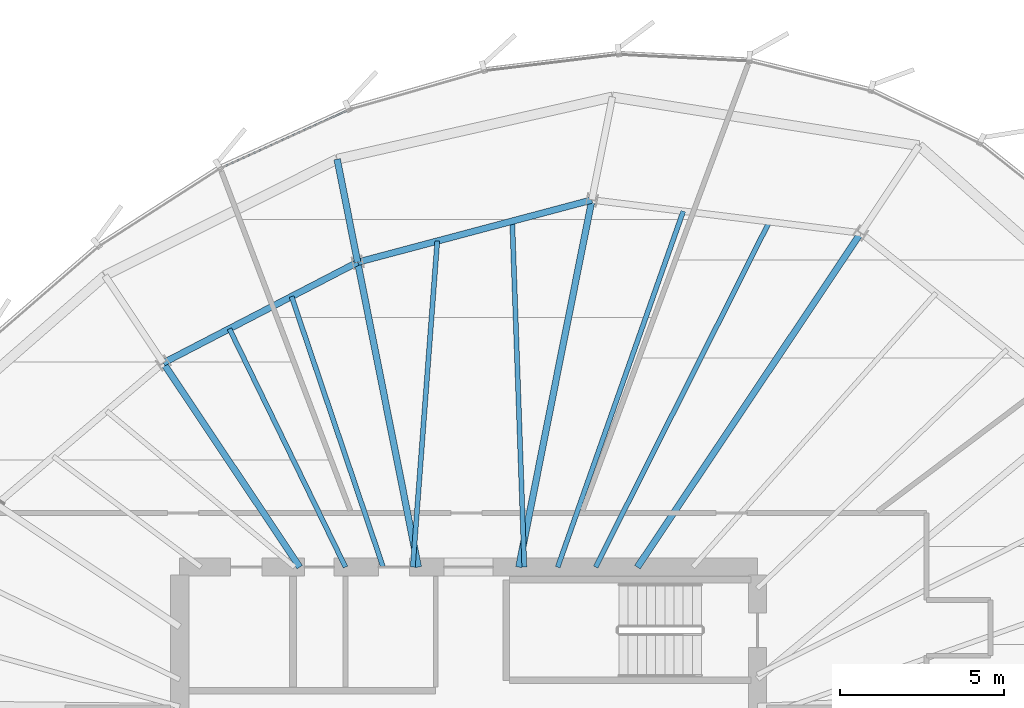
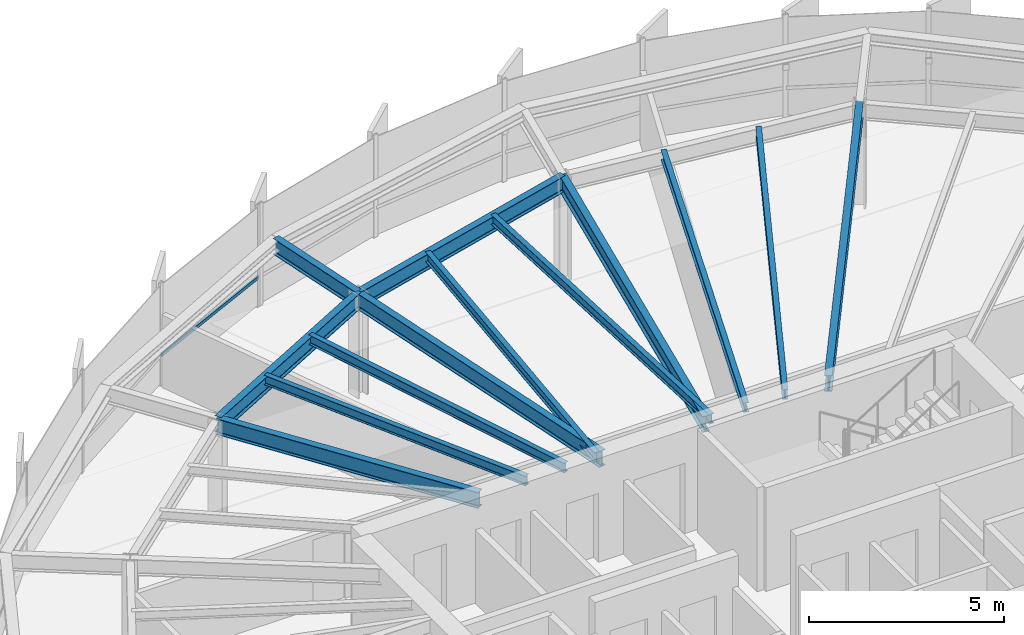
# One storey, part 21 of 34: 13 beams, 1 member, 1 element without a shape of its own.
"""IFC4 building model written with IfcOpenShell, lengths in metres."""

from ifc_helpers import new_model, si_unit, direction, frame, origin, origin_2d, place, context, subcontext, project, spatial, hollow_rectangle, i_section, extrude, source, transform, mapped, material, layer, layer_set, material_profile, profile_set, type_object, element, aggregate, save


model = new_model("IFC4")

# Units and contexts
model_context = context("Model", 3, precision=1e-05, world=origin(), true_north=direction((0.0, 1.0)))
body_context = subcontext(model_context, "Body", "Model", "MODEL_VIEW")
ifc_project = project(units=[si_unit("LENGTHUNIT", "METRE"), si_unit("AREAUNIT", "SQUARE_METRE"), si_unit("VOLUMEUNIT", "CUBIC_METRE"), si_unit("PLANEANGLEUNIT", "RADIAN"), si_unit("MASSUNIT", "GRAM", prefix="KILO"), si_unit("THERMODYNAMICTEMPERATUREUNIT", "KELVIN")], contexts=[model_context])

# Site, building, storey
site_placement = place(None, origin())
site = spatial("IfcSite", under=ifc_project, at=site_placement, CompositionType="ELEMENT")
building_placement = place(site_placement, origin())
building = spatial("IfcBuilding", under=site, at=building_placement, Name="Kethvar Cultural Tower", CompositionType="ELEMENT")
storey_placement = place(building_placement, frame((0.0, 0.0, 214.89990234375)))
storey = spatial("IfcBuildingStorey", under=building, at=storey_placement, Name="L56", CompositionType="ELEMENT", Elevation=214.89990234375)

# Beams
ifc_material_1 = material(Name="Steel S355J2", Category="steel")
ifc_material_profile_1 = material_profile(ifc_material_1, i_section(OverallWidth=0.199951171875, OverallDepth=0.5, WebThickness=0.01025390625, FlangeThickness=0.01611328125, FilletRadius=0.02099609375, at=origin_2d()), Name="Steel S355J2 — IPE500")
ifc_profile_set_1 = profile_set([ifc_material_profile_1], Name="Steel S355J2 — IPE500")
beam_type_1 = type_object("IfcBeamType", Name="BM-IPE500", PredefinedType="BEAM", material=ifc_profile_set_1)
shared_shape_1 = source(origin(), body_context, "Body", "SweptSolid", [
    extrude(i_section(OverallWidth=0.199951171875, OverallDepth=0.5, WebThickness=0.01025390625, FlangeThickness=0.01611328125, FilletRadius=0.02099609375, at=origin_2d()), origin(), (0.0, 0.0, 1.0), 3.199951171875),
])
beam_1_placement = place(storey_placement, frame((43.420654296875, 44.789306640625, 2.988037109375), z_axis=(-0.195088965533, 0.980785550224, 0.0), x_axis=(-0.980785550224, -0.195088965533, 0.0)))
element("IfcBeam", 1, at=beam_1_placement, inside=storey, type_object=beam_type_1, Name="L56 Perimeter Cantilever Beam RC-05", PredefinedType="BEAM", context=body_context, shape_type="MappedRepresentation", body=[
    mapped(shared_shape_1, transform((0.0, 0.0, 0.0), scale=1.0)),
])
shared_shape_2 = source(origin(), body_context, "Body", "SweptSolid", [
    extrude(i_section(OverallWidth=0.199951171875, OverallDepth=0.5, WebThickness=0.01025390625, FlangeThickness=0.01611328125, FilletRadius=0.02099609375, at=origin_2d()), origin(), (0.0, 0.0, 1.0), 12.2451171875),
])
beam_2_placement = place(storey_placement, frame((51.945068359375, 35.5, 2.988037109375), z_axis=(0.555569492312, 0.831470107227, 0.0), x_axis=(-0.831470107227, 0.555569492312, 0.0)))
element("IfcBeam", 2, at=beam_2_placement, inside=storey, type_object=beam_type_1, Name="L56 Primary Radial Beam RB-03", PredefinedType="BEAM", context=body_context, shape_type="MappedRepresentation", body=[
    mapped(shared_shape_2, transform((0.0, 0.0, 0.0), scale=1.0)),
])
shared_shape_3 = source(origin(), body_context, "Body", "SweptSolid", [
    extrude(i_section(OverallWidth=0.199951171875, OverallDepth=0.5, WebThickness=0.01025390625, FlangeThickness=0.01611328125, FilletRadius=0.02099609375, at=origin_2d()), origin(), (0.0, 0.0, 1.0), 11.40673828125),
])
beam_3_placement = place(storey_placement, frame((48.33154296875, 35.5, 2.988037109375), z_axis=(0.195091138918, 0.980785117911, 0.0), x_axis=(-0.980785117911, 0.195091138918, 0.0)))
element("IfcBeam", 3, at=beam_3_placement, inside=storey, type_object=beam_type_1, Name="L56 Primary Radial Beam RB-04", PredefinedType="BEAM", context=body_context, shape_type="MappedRepresentation", body=[
    mapped(shared_shape_3, transform((0.0, 0.0, 0.0), scale=1.0)),
])
shared_shape_4 = source(origin(), body_context, "Body", "SweptSolid", [
    extrude(i_section(OverallWidth=0.199951171875, OverallDepth=0.5, WebThickness=0.01025390625, FlangeThickness=0.01611328125, FilletRadius=0.02099609375, at=origin_2d()), origin(), (0.0, 0.0, 1.0), 9.47119140625),
])
beam_4_placement = place(storey_placement, frame((45.268310546875, 35.5, 2.988037109375), z_axis=(-0.195079990396, 0.980787335434, 0.0), x_axis=(-0.980787335434, -0.195079990396, 0.0)))
element("IfcBeam", 4, at=beam_4_placement, inside=storey, type_object=beam_type_1, Name="L56 Primary Radial Beam RB-05", PredefinedType="BEAM", context=body_context, shape_type="MappedRepresentation", body=[
    mapped(shared_shape_4, transform((0.0, 0.0, 0.0), scale=1.0)),
])
shared_shape_5 = source(origin(), body_context, "Body", "SweptSolid", [
    extrude(i_section(OverallWidth=0.199951171875, OverallDepth=0.5, WebThickness=0.01025390625, FlangeThickness=0.01611328125, FilletRadius=0.02099609375, at=origin_2d()), origin(), (0.0, 0.0, 1.0), 7.481201171875),
])
beam_5_placement = place(storey_placement, frame((41.655029296875, 35.5, 2.988037109375), z_axis=(-0.55555842186, 0.831477504146, 0.0), x_axis=(-0.831477504146, -0.55555842186, 0.0)))
element("IfcBeam", 5, at=beam_5_placement, inside=storey, type_object=beam_type_1, Name="L56 Primary Radial Beam RB-06", PredefinedType="BEAM", context=body_context, shape_type="MappedRepresentation", body=[
    mapped(shared_shape_5, transform((0.0, 0.0, 0.0), scale=1.0)),
])
ifc_material_profile_2 = material_profile(ifc_material_1, i_section(OverallWidth=0.14990234375, OverallDepth=0.300048828125, WebThickness=0.007080078125, FlangeThickness=0.0107421875, FilletRadius=0.014892578125, at=origin_2d()), Name="Steel S355J2 — IPE300")
ifc_profile_set_2 = profile_set([ifc_material_profile_2], Name="Steel S355J2 — IPE300")
beam_type_2 = type_object("IfcBeamType", Name="BM-J300", PredefinedType="JOIST", material=ifc_profile_set_2)
shared_shape_6 = source(origin(), body_context, "Body", "SweptSolid", [
    extrude(i_section(OverallWidth=0.14990234375, OverallDepth=0.300048828125, WebThickness=0.007080078125, FlangeThickness=0.0107421875, FilletRadius=0.014892578125, at=origin_2d()), origin(), (0.0, 0.0, 1.0), 11.77880859375),
])
beam_6_placement = place(storey_placement, frame((50.671630859375, 35.5, 3.088134765625), z_axis=(0.449218855458, 0.893421748057, 0.0), x_axis=(-0.893421748057, 0.449218855458, 0.0)))
element("IfcBeam", 6, at=beam_6_placement, inside=storey, type_object=beam_type_2, Name="L56 Composite Floor Joist J-03A", PredefinedType="JOIST", context=body_context, shape_type="MappedRepresentation", body=[
    mapped(shared_shape_6, transform((0.0, 0.0, 0.0), scale=1.0)),
])
shared_shape_7 = source(origin(), body_context, "Body", "SweptSolid", [
    extrude(i_section(OverallWidth=0.14990234375, OverallDepth=0.300048828125, WebThickness=0.007080078125, FlangeThickness=0.0107421875, FilletRadius=0.014892578125, at=origin_2d()), origin(), (0.0, 0.0, 1.0), 11.50048828125),
])
beam_7_placement = place(storey_placement, frame((49.51611328125, 35.5, 3.088134765625), z_axis=(0.332655768875, 0.943048322958, 0.0), x_axis=(-0.943048322958, 0.332655768875, 0.0)))
element("IfcBeam", 7, at=beam_7_placement, inside=storey, type_object=beam_type_2, Name="L56 Composite Floor Joist J-03B", PredefinedType="JOIST", context=body_context, shape_type="MappedRepresentation", body=[
    mapped(shared_shape_7, transform((0.0, 0.0, 0.0), scale=1.0)),
])
shared_shape_8 = source(origin(), body_context, "Body", "SweptSolid", [
    extrude(i_section(OverallWidth=0.199951171875, OverallDepth=0.5, WebThickness=0.01025390625, FlangeThickness=0.01611328125, FilletRadius=0.02099609375, at=origin_2d()), origin(), (0.0, 0.0, 1.0), 7.38427734375),
])
beam_8_placement = place(storey_placement, frame((50.556884765625, 46.6875, 2.988037109375), z_axis=(-0.966396628298, -0.257055552002, 0.0), x_axis=(0.257055552002, -0.966396628298, 0.0)))
element("IfcBeam", 8, at=beam_8_placement, inside=storey, type_object=beam_type_1, Name="L56 Column Ring Tie Beam CR-04", PredefinedType="BEAM", context=body_context, shape_type="MappedRepresentation", body=[
    mapped(shared_shape_8, transform((0.0, 0.0, 0.0), scale=1.0)),
])
shared_shape_9 = source(origin(), body_context, "Body", "SweptSolid", [
    extrude(i_section(OverallWidth=0.14990234375, OverallDepth=0.300048828125, WebThickness=0.007080078125, FlangeThickness=0.0107421875, FilletRadius=0.014892578125, at=origin_2d()), origin(), (0.0, 0.0, 1.0), 10.54833984375),
])
beam_9_placement = place(storey_placement, frame((48.5, 35.5, 3.088134765625), z_axis=(-0.035017879941, 0.999386685965, 0.0), x_axis=(-0.999386685965, -0.035017879941, 0.0)))
element("IfcBeam", 9, at=beam_9_placement, inside=storey, type_object=beam_type_2, Name="L56 Composite Floor Joist J-04A", PredefinedType="JOIST", context=body_context, shape_type="MappedRepresentation", body=[
    mapped(shared_shape_9, transform((0.0, 0.0, 0.0), scale=1.0)),
])
shared_shape_10 = source(origin(), body_context, "Body", "SweptSolid", [
    extrude(i_section(OverallWidth=0.14990234375, OverallDepth=0.300048828125, WebThickness=0.007080078125, FlangeThickness=0.0107421875, FilletRadius=0.014892578125, at=origin_2d()), origin(), (0.0, 0.0, 1.0), 9.962646484375),
])
beam_10_placement = place(storey_placement, frame((45.10009765625, 35.5, 3.088134765625), z_axis=(0.074962964429, 0.99718631858, 0.0), x_axis=(-0.99718631858, 0.074962964429, 0.0)))
element("IfcBeam", 10, at=beam_10_placement, inside=storey, type_object=beam_type_2, Name="L56 Composite Floor Joist J-04B", PredefinedType="JOIST", context=body_context, shape_type="MappedRepresentation", body=[
    mapped(shared_shape_10, transform((0.0, 0.0, 0.0), scale=1.0)),
])
shared_shape_11 = source(origin(), body_context, "Body", "SweptSolid", [
    extrude(i_section(OverallWidth=0.199951171875, OverallDepth=0.5, WebThickness=0.01025390625, FlangeThickness=0.01611328125, FilletRadius=0.02099609375, at=origin_2d()), origin(), (0.0, 0.0, 1.0), 6.669921875),
])
beam_11_placement = place(storey_placement, frame((43.420654296875, 44.789306640625, 2.988037109375), z_axis=(-0.887861983948, -0.460109875421, 0.0), x_axis=(0.460109875421, -0.887861983948, 0.0)))
element("IfcBeam", 11, at=beam_11_placement, inside=storey, type_object=beam_type_1, Name="L56 Column Ring Tie Beam CR-05", PredefinedType="BEAM", context=body_context, shape_type="MappedRepresentation", body=[
    mapped(shared_shape_11, transform((0.0, 0.0, 0.0), scale=1.0)),
])
shared_shape_12 = source(origin(), body_context, "Body", "SweptSolid", [
    extrude(i_section(OverallWidth=0.14990234375, OverallDepth=0.300048828125, WebThickness=0.007080078125, FlangeThickness=0.0107421875, FilletRadius=0.014892578125, at=origin_2d()), origin(), (0.0, 0.0, 1.0), 8.70458984375),
])
beam_12_placement = place(storey_placement, frame((44.19580078125, 35.5, 3.088134765625), z_axis=(-0.320356133074, 0.947297180404, 0.0), x_axis=(-0.947297180404, -0.320356133074, 0.0)))
element("IfcBeam", 12, at=beam_12_placement, inside=storey, type_object=beam_type_2, Name="L56 Composite Floor Joist J-05A", PredefinedType="JOIST", context=body_context, shape_type="MappedRepresentation", body=[
    mapped(shared_shape_12, transform((0.0, 0.0, 0.0), scale=1.0)),
])
shared_shape_13 = source(origin(), body_context, "Body", "SweptSolid", [
    extrude(i_section(OverallWidth=0.14990234375, OverallDepth=0.300048828125, WebThickness=0.007080078125, FlangeThickness=0.0107421875, FilletRadius=0.014892578125, at=origin_2d()), origin(), (0.0, 0.0, 1.0), 8.07958984375),
])
beam_13_placement = place(storey_placement, frame((43.0498046875, 35.5, 3.088134765625), z_axis=(-0.437846062021, 0.89904995744, 0.0), x_axis=(-0.89904995744, -0.437846062021, 0.0)))
element("IfcBeam", 13, at=beam_13_placement, inside=storey, type_object=beam_type_2, Name="L56 Composite Floor Joist J-05B", PredefinedType="JOIST", context=body_context, shape_type="MappedRepresentation", body=[
    mapped(shared_shape_13, transform((0.0, 0.0, 0.0), scale=1.0)),
])

# Curtain wall, member
ifc_material_2 = material(Name="Aluminium 6063-T6", Category="aluminium")
ifc_layer = layer(ifc_material_2, 0.179931640625, Name="Aluminium 6063-T6", Category="aluminium")
ifc_layer_set = layer_set([ifc_layer], Name="Aluminium 6063-T6 (180 mm)")
curtain_wall_type = type_object("IfcCurtainWallType", Name="CW-SYS-04-Z34", PredefinedType="NOTDEFINED", material=ifc_layer_set)
curtain_wall_placement = place(storey_placement, origin())
curtain_wall = element("IfcCurtainWall", 14, at=curtain_wall_placement, inside=storey, type_object=curtain_wall_type, Name="L56 Curtain Wall Run 02", PredefinedType="NOTDEFINED")
ifc_material_profile_3 = material_profile(ifc_material_2, hollow_rectangle(XDim=0.050048828125, YDim=0.10009765625, WallThickness=0.00390625, at=origin_2d()), Name="Aluminium 6063-T6 — RHS100x50x4")
ifc_profile_set_3 = profile_set([ifc_material_profile_3], Name="Aluminium 6063-T6 — RHS100x50x4")
member_type = type_object("IfcMemberType", Name="CW-SYS-04-Z34-TRN", PredefinedType="USERDEFINED", material=ifc_profile_set_3)
shared_shape_14 = source(origin(), body_context, "Body", "SweptSolid", [
    extrude(hollow_rectangle(XDim=0.050048828125, YDim=0.10009765625, WallThickness=0.00390625, at=origin_2d()), origin(), (0.0, 0.0, 1.0), 4.275146484375),
])
member_placement = place(storey_placement, frame((43.1494140625, 49.433837890625, 0.9501953125), z_axis=(-0.910078760198, -0.414435339029, 0.0), x_axis=(0.414435339029, -0.910078760198, 0.0)))
member = element("IfcMember", 15, at=member_placement, type_object=member_type, Name="CW-L56-R02 Transom 1", ObjectType="TRANSOM", PredefinedType="USERDEFINED", context=body_context, shape_type="MappedRepresentation", body=[
    mapped(shared_shape_14, transform((0.0, 0.0, 0.0), scale=1.0)),
])
aggregate(curtain_wall, [member])

save(model, "model.ifc")
